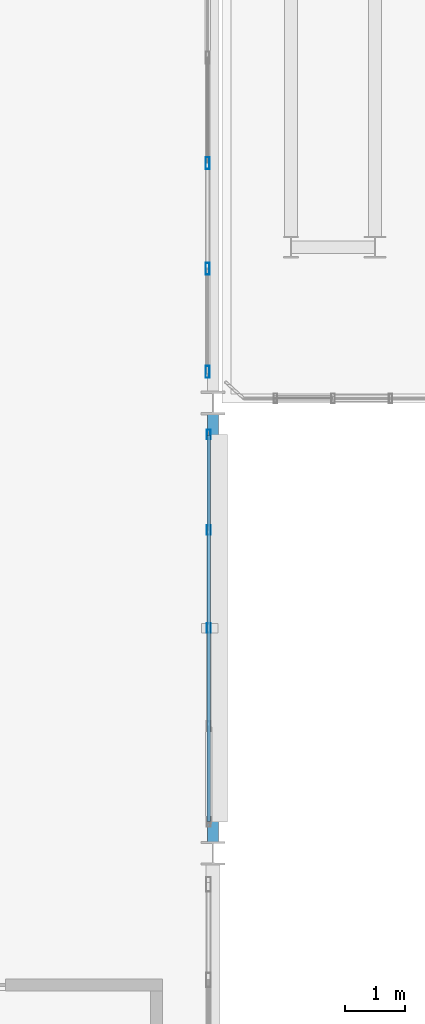
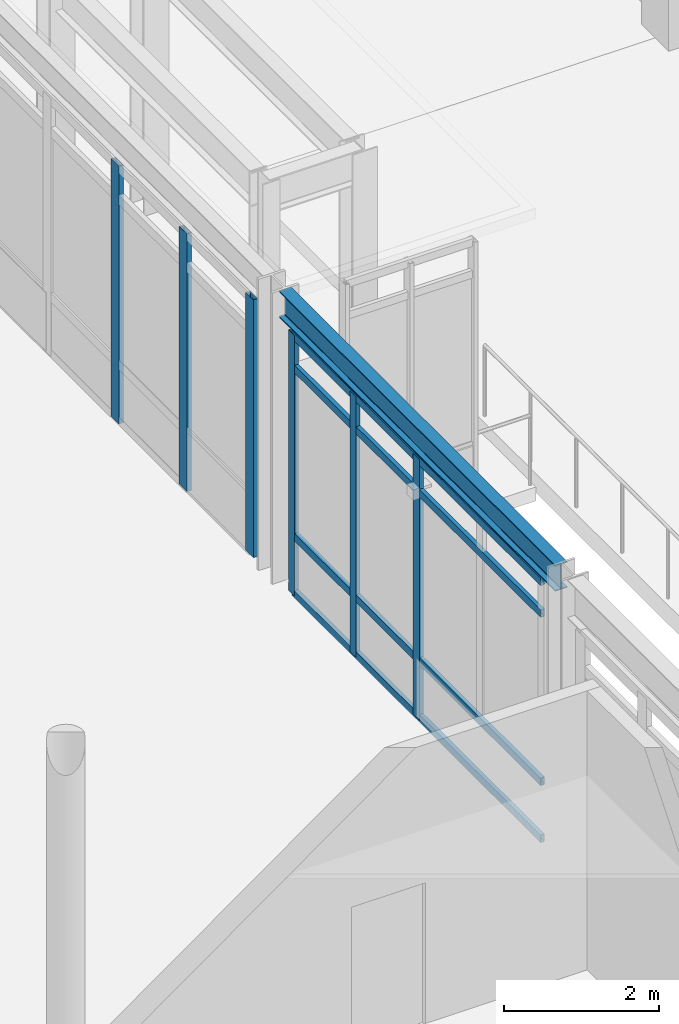
# One storey, part 28 of 200: 10 members, 1 beam, 2 elements without a shape of their own.
"""IFC4 building model written with IfcOpenShell, lengths in metres."""

from ifc_helpers import new_model, si_unit, direction, frame, origin, origin_2d, place, context, subcontext, project, spatial, hollow_rectangle, i_section, extrude, material, material_profile, profile_set, type_object, element, aggregate, save


model = new_model("IFC4")

# Units and contexts
model_context = context("Model", 3, precision=1e-05, world=origin(), true_north=direction((0.0, 1.0)))
body_context = subcontext(model_context, "Body", "Model", "MODEL_VIEW")
ifc_project = project(units=[si_unit("LENGTHUNIT", "METRE"), si_unit("AREAUNIT", "SQUARE_METRE"), si_unit("VOLUMEUNIT", "CUBIC_METRE"), si_unit("PLANEANGLEUNIT", "RADIAN"), si_unit("MASSUNIT", "GRAM", prefix="KILO"), si_unit("THERMODYNAMICTEMPERATUREUNIT", "KELVIN"), si_unit("POWERUNIT", "WATT")], contexts=[model_context])

# Site, building, storey
site_placement = place(None, origin())
site = spatial("IfcSite", under=ifc_project, at=site_placement, CompositionType="ELEMENT")
building_placement = place(site_placement, origin())
building = spatial("IfcBuilding", under=site, at=building_placement, Name="Tepalcoro Natatorium and Aquatics Centre", CompositionType="ELEMENT")
storey_placement = place(building_placement, frame((0.0, 0.0, 5.39990234375)))
storey = spatial("IfcBuildingStorey", under=building, at=storey_placement, Name="L01", CompositionType="ELEMENT", Elevation=5.39990234375)

# Curtain wall, members
ifc_material_1 = material(Name="Bronze-Anodised Extruded Aluminium Alloy EN AW-6063 T6", Category="aluminium")
curtain_wall_type_1 = type_object("IfcCurtainWallType", Name="CW_LEAN_T2_EW", PredefinedType="USERDEFINED", material=ifc_material_1)
curtain_wall_1_placement = place(storey_placement, origin())
curtain_wall_1 = element("IfcCurtainWall", 1, at=curtain_wall_1_placement, inside=storey, type_object=curtain_wall_type_1, Name="V3 L01 E Unitised Curtain Wall Bay 3", ObjectType="FACETED SOLAR GLAZING", PredefinedType="USERDEFINED")
ifc_material_profile_1 = material_profile(ifc_material_1, hollow_rectangle(XDim=0.06005859375, YDim=0.159912109375, WallThickness=0.00390625, at=origin_2d()), Name="AL60X160X4")
ifc_profile_set_1 = profile_set([ifc_material_profile_1], Name="Bronze-Anodised Extruded Aluminium Alloy EN AW-6063 T6")
member_type_1 = type_object("IfcMemberType", Name="CW_MUL_60x160", PredefinedType="MULLION", material=ifc_profile_set_1)
member_1_placement = place(storey_placement, frame((35.9287109375, 24.25, 0.02001953125), z_axis=(0.0, 0.0, 1.0), x_axis=(1.0, 0.0, 0.0)))
member_1 = element("IfcMember", 2, at=member_1_placement, type_object=member_type_1, Name="CW_LEAN_T2_EW Curtain Wall Mullion", PredefinedType="MULLION", context=body_context, shape_type="SweptSolid", body=[
    extrude(hollow_rectangle(XDim=0.06005859375, YDim=0.159912109375, WallThickness=0.00390625, at=origin_2d()), origin(), (0.0, 0.0, 1.0), 4.1171875),
])
member_2_placement = place(storey_placement, frame((35.9287109375, 25.885009765625, 0.02001953125), z_axis=(0.0, 0.0, 1.0), x_axis=(1.0, 0.0, 0.0)))
member_2 = element("IfcMember", 3, at=member_2_placement, type_object=member_type_1, Name="CW_LEAN_T2_EW Curtain Wall Mullion", PredefinedType="MULLION", context=body_context, shape_type="SweptSolid", body=[
    extrude(hollow_rectangle(XDim=0.06005859375, YDim=0.159912109375, WallThickness=0.00390625, at=origin_2d()), origin(), (0.0, 0.0, 1.0), 4.1171875),
])
member_3_placement = place(storey_placement, frame((35.9287109375, 27.47998046875, 0.02001953125), z_axis=(0.0, 0.0, 1.0), x_axis=(1.0, 0.0, 0.0)))
member_3 = element("IfcMember", 4, at=member_3_placement, type_object=member_type_1, Name="CW_LEAN_T2_EW Curtain Wall Mullion", PredefinedType="MULLION", context=body_context, shape_type="SweptSolid", body=[
    extrude(hollow_rectangle(XDim=0.06005859375, YDim=0.159912109375, WallThickness=0.00390625, at=origin_2d()), origin(), (0.0, 0.0, 1.0), 4.1171875),
])

curtain_wall_type_2 = type_object("IfcCurtainWallType", Name="CW_V1_PLINTH", PredefinedType="USERDEFINED", material=ifc_material_1)
curtain_wall_2_placement = place(storey_placement, origin())
curtain_wall_2 = element("IfcCurtainWall", 5, at=curtain_wall_2_placement, inside=storey, type_object=curtain_wall_type_2, Name="V3 L01 E Unitised Curtain Wall Bay 4", ObjectType="UNITISED STOREFRONT", PredefinedType="USERDEFINED")
ifc_material_profile_2 = material_profile(ifc_material_1, hollow_rectangle(XDim=0.070068359375, YDim=0.199951171875, WallThickness=0.0048828125, at=origin_2d()), Name="AL70X200X5")
ifc_profile_set_2 = profile_set([ifc_material_profile_2], Name="Bronze-Anodised Extruded Aluminium Alloy EN AW-6063 T6")
member_type_2 = type_object("IfcMemberType", Name="CW_MUL_70x200", PredefinedType="MULLION", material=ifc_profile_set_2)
member_4_placement = place(storey_placement, frame((35.909912109375, 28.52001953125, 0.02001953125), z_axis=(0.0, 0.0, 1.0), x_axis=(1.0, 0.0, 0.0)))
member_4 = element("IfcMember", 6, at=member_4_placement, type_object=member_type_2, Name="CW_V1_PLINTH Curtain Wall Mullion", PredefinedType="MULLION", context=body_context, shape_type="SweptSolid", body=[
    extrude(hollow_rectangle(XDim=0.070068359375, YDim=0.199951171875, WallThickness=0.0048828125, at=origin_2d()), origin(), (0.0, 0.0, 1.0), 4.070068359375),
])
member_5_placement = place(storey_placement, frame((35.909912109375, 30.239990234375, 0.02001953125), z_axis=(0.0, 0.0, 1.0), x_axis=(1.0, 0.0, 0.0)))
member_5 = element("IfcMember", 7, at=member_5_placement, type_object=member_type_2, Name="CW_V1_PLINTH Curtain Wall Mullion", PredefinedType="MULLION", context=body_context, shape_type="SweptSolid", body=[
    extrude(hollow_rectangle(XDim=0.070068359375, YDim=0.199951171875, WallThickness=0.0048828125, at=origin_2d()), origin(), (0.0, 0.0, 1.0), 4.070068359375),
])
member_6_placement = place(storey_placement, frame((35.909912109375, 32.0, 0.02001953125), z_axis=(0.0, 0.0, 1.0), x_axis=(1.0, 0.0, 0.0)))
member_6 = element("IfcMember", 8, at=member_6_placement, type_object=member_type_2, Name="CW_V1_PLINTH Curtain Wall Mullion", PredefinedType="MULLION", context=body_context, shape_type="SweptSolid", body=[
    extrude(hollow_rectangle(XDim=0.070068359375, YDim=0.199951171875, WallThickness=0.0048828125, at=origin_2d()), origin(), (0.0, 0.0, 1.0), 4.070068359375),
])
aggregate(curtain_wall_2, [member_4, member_5, member_6])

# Member
ifc_material_profile_3 = material_profile(ifc_material_1, hollow_rectangle(XDim=0.06005859375, YDim=0.1201171875, WallThickness=0.00390625, at=origin_2d()), Name="AL60X120X4")
ifc_profile_set_3 = profile_set([ifc_material_profile_3], Name="Bronze-Anodised Extruded Aluminium Alloy EN AW-6063 T6")
member_type_3 = type_object("IfcMemberType", Name="CW_TRN_60x120", PredefinedType="USERDEFINED", material=ifc_profile_set_3)
member_7_placement = place(storey_placement, frame((35.9287109375, 21.030029296875, 0.050048828125), z_axis=(0.0, 1.0, 0.0), x_axis=(-1.0, 0.0, 0.0)))
member_7 = element("IfcMember", 9, at=member_7_placement, type_object=member_type_3, Name="CW_LEAN_T2_EW Curtain Wall Transom", ObjectType="TRANSOM", PredefinedType="USERDEFINED", context=body_context, shape_type="SweptSolid", body=[
    extrude(hollow_rectangle(XDim=0.06005859375, YDim=0.1201171875, WallThickness=0.00390625, at=origin_2d()), origin(), (0.0, 0.0, 1.0), 6.43994140625),
])

member_8_placement = place(storey_placement, frame((35.9287109375, 21.030029296875, 0.9501953125), z_axis=(0.0, 1.0, 0.0), x_axis=(-1.0, 0.0, 0.0)))
member_8 = element("IfcMember", 10, at=member_8_placement, type_object=member_type_3, Name="CW_LEAN_T2_EW Curtain Wall Transom", ObjectType="TRANSOM", PredefinedType="USERDEFINED", context=body_context, shape_type="SweptSolid", body=[
    extrude(hollow_rectangle(XDim=0.06005859375, YDim=0.1201171875, WallThickness=0.00390625, at=origin_2d()), origin(), (0.0, 0.0, 1.0), 6.43994140625),
])

member_9_placement = place(storey_placement, frame((35.9287109375, 21.030029296875, 3.607177734375), z_axis=(0.0, 1.0, 0.0), x_axis=(-1.0, 0.0, 0.0)))
member_9 = element("IfcMember", 11, at=member_9_placement, type_object=member_type_3, Name="CW_LEAN_T2_EW Curtain Wall Transom", ObjectType="TRANSOM", PredefinedType="USERDEFINED", context=body_context, shape_type="SweptSolid", body=[
    extrude(hollow_rectangle(XDim=0.06005859375, YDim=0.1201171875, WallThickness=0.00390625, at=origin_2d()), origin(), (0.0, 0.0, 1.0), 6.43994140625),
])

member_10_placement = place(storey_placement, frame((35.9287109375, 21.030029296875, 4.107177734375), z_axis=(0.0, 1.0, 0.0), x_axis=(-1.0, 0.0, 0.0)))
member_10 = element("IfcMember", 12, at=member_10_placement, type_object=member_type_3, Name="CW_LEAN_T2_EW Curtain Wall Transom", ObjectType="TRANSOM", PredefinedType="USERDEFINED", context=body_context, shape_type="SweptSolid", body=[
    extrude(hollow_rectangle(XDim=0.06005859375, YDim=0.1201171875, WallThickness=0.00390625, at=origin_2d()), origin(), (0.0, 0.0, 1.0), 6.43994140625),
])

aggregate(curtain_wall_1, [member_1, member_2, member_3, member_7, member_8, member_9, member_10])

# Beam
ifc_material_2 = material(Name="Steel ASTM A992 Grade 50 (Fy 345 MPa)", Category="steel")
ifc_material_profile_4 = material_profile(ifc_material_2, i_section(OverallWidth=0.179931640625, OverallDepth=0.4130859375, WebThickness=0.010009765625, FlangeThickness=0.01611328125, FilletRadius=0.013916015625, at=origin_2d()), Name="W16X50")
ifc_profile_set_4 = profile_set([ifc_material_profile_4], Name="Steel ASTM A992 Grade 50 (Fy 345 MPa)")
beam_type = type_object("IfcBeamType", Name="SP_HSS300x200x12", PredefinedType="SPANDREL", material=ifc_profile_set_4)
beam_placement = place(storey_placement, frame((36.0, 20.672119140625, 4.378662109375), z_axis=(0.0, 1.0, 0.0), x_axis=(-1.0, 0.0, 0.0)))
element("IfcBeam", 13, at=beam_placement, inside=storey, type_object=beam_type, Name="V3 L01 Grid Girder Y", PredefinedType="SPANDREL", context=body_context, shape_type="SweptSolid", body=[
    extrude(i_section(OverallWidth=0.179931640625, OverallDepth=0.4130859375, WebThickness=0.010009765625, FlangeThickness=0.01611328125, FilletRadius=0.013916015625, at=origin_2d()), origin(), (0.0, 0.0, 1.0), 7.1494140625),
])

save(model, "model.ifc")
